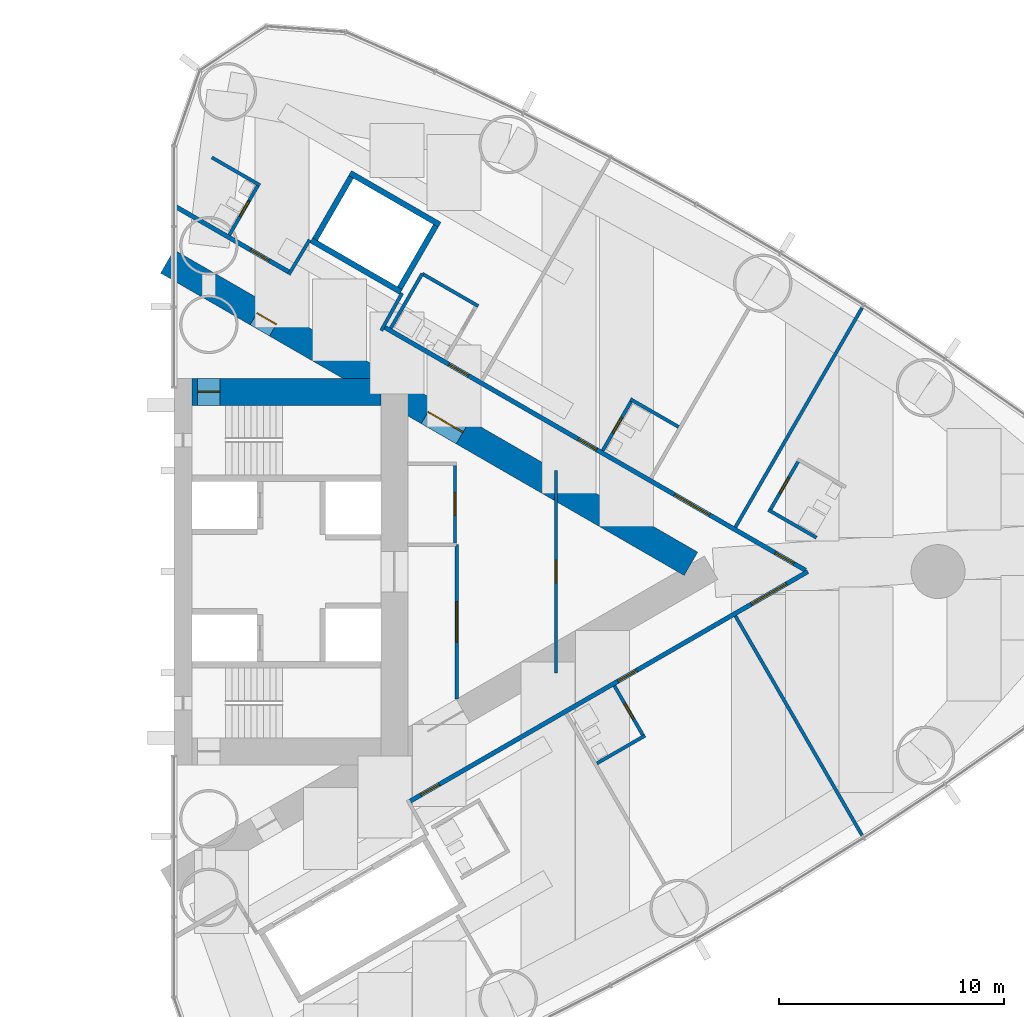
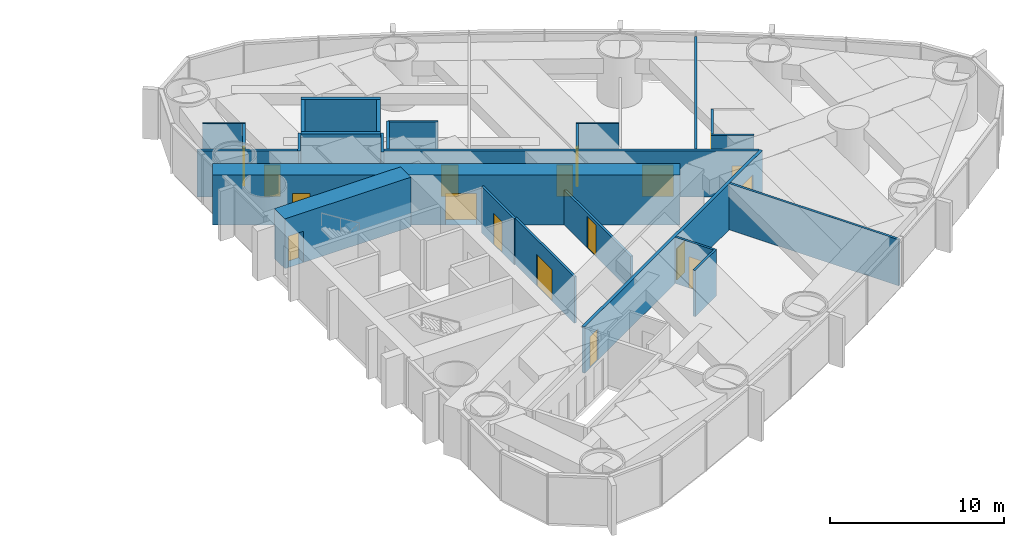
# One storey, part 14 of 18: 26 walls, 18 doors, 18 openings.
"""IFC4 building model written with IfcOpenShell, lengths in metres."""

import ifcopenshell
import ifcopenshell.guid

model = None  # the IFC model being written
_history = None  # IfcOwnerHistory: only IFC2X3 demands one
_inside = {}  # id of a spatial element -> (the spatial element, [elements in it])
_under = {}  # id of a project, library or spatial element -> (it, [spatial elements below it])
_declared = {}  # id of a project -> (the project, [libraries it declares])
_typed = {}  # id of a type object -> (the type object, [elements of that type])
_made_of = {}  # id of a material, layer set ... -> (it, [elements and type objects made of it])


def new_model(schema):
    """Start an empty IFC model of exactly this schema.

    Asked for "IFC4X3", IfcOpenShell would pick the latest addendum, in which some entities
    have other attributes; the version numbers below select the first issue.
    IFC2X3 requires an IfcOwnerHistory on every rooted entity: one is made here for all.
    """
    global model, _history
    if schema == "IFC4X3":
        model = ifcopenshell.file(schema_version=(4, 3, 0, 0))
    else:
        model = ifcopenshell.file(schema=schema)
    _inside.clear()
    _under.clear()
    _declared.clear()
    _typed.clear()
    _made_of.clear()
    _history = None
    if model.schema == "IFC2X3":
        org = make("IfcOrganization", Name="unknown")
        user = make(
            "IfcPersonAndOrganization",
            ThePerson=make("IfcPerson", FamilyName="unknown"),
            TheOrganization=org,
        )
        app = make(
            "IfcApplication",
            ApplicationDeveloper=org,
            Version="unknown",
            ApplicationFullName="unknown",
            ApplicationIdentifier="unknown",
        )
        _history = make(
            "IfcOwnerHistory",
            OwningUser=user,
            OwningApplication=app,
            ChangeAction="ADDED",
            CreationDate=0,
        )
    return model


def make(cls, **values):
    """One entity of the class cls with the attributes given. An attribute that is None is left unset."""
    return model.create_entity(
        cls, **{name: value for name, value in values.items() if value is not None}
    )


def rooted(cls, **values):
    """An entity with a GlobalId (a new one), such as an element, a storey or a relation."""
    return make(cls, GlobalId=ifcopenshell.guid.new(), OwnerHistory=_history, **values)


def si_unit(unit_type, name, prefix=None):
    """IfcSIUnit, for example si_unit("LENGTHUNIT", "METRE", prefix="MILLI")."""
    return make("IfcSIUnit", UnitType=unit_type, Prefix=prefix, Name=name)


def assignment(units):
    """IfcUnitAssignment: the units of a project."""
    return None if units is None else make("IfcUnitAssignment", Units=units)


def point(xyz):
    """IfcCartesianPoint."""
    return None if xyz is None else make("IfcCartesianPoint", Coordinates=xyz)


def direction(xyz):
    """IfcDirection."""
    return None if xyz is None else make("IfcDirection", DirectionRatios=xyz)


def frame(location, z_axis=None, x_axis=None):
    """IfcAxis2Placement3D, a coordinate frame: its origin and axes. An axis left out is left unset."""
    return make(
        "IfcAxis2Placement3D",
        Location=point(location),
        Axis=direction(z_axis),
        RefDirection=direction(x_axis),
    )


def frame_2d(location, x_axis=None):
    """IfcAxis2Placement2D, a coordinate frame in the plane: its origin and x axis."""
    return make(
        "IfcAxis2Placement2D", Location=point(location), RefDirection=direction(x_axis)
    )


def origin():
    """The frame at (0, 0, 0) with its axes left unset."""
    return frame((0.0, 0.0, 0.0))


def place(relative_to, where):
    """IfcLocalPlacement: puts the frame where relative to a parent placement (None: the world)."""
    return make(
        "IfcLocalPlacement", PlacementRelTo=relative_to, RelativePlacement=where
    )


def context(
    kind, dimensions, precision=None, world=None, true_north=None, identifier=None
):
    """IfcGeometricRepresentationContext, for example the 3D "Model" context."""
    return make(
        "IfcGeometricRepresentationContext",
        ContextIdentifier=identifier,
        ContextType=kind,
        CoordinateSpaceDimension=dimensions,
        Precision=precision,
        WorldCoordinateSystem=world,
        TrueNorth=true_north,
    )


def subcontext(parent, identifier, kind, view, scale=None):
    """IfcGeometricRepresentationSubContext, for example "Body" below "Model"."""
    return make(
        "IfcGeometricRepresentationSubContext",
        ContextIdentifier=identifier,
        ContextType=kind,
        ParentContext=parent,
        TargetScale=scale,
        TargetView=view,
    )


def project(units=None, contexts=None):
    """IfcProject with its units and contexts."""
    return rooted(
        "IfcProject",
        Name="project",
        RepresentationContexts=contexts,
        UnitsInContext=assignment(units),
    )


def spatial(cls, under=None, at=None, **own):
    """A site, building, storey or space (cls), placed at a placement, below another one or the project."""
    s = rooted(cls, ObjectPlacement=at, **own)
    if under is not None:
        _under.setdefault(under.id(), (under, []))[1].append(s)
    return s


def profile(cls, at=None, kind="AREA", **sizes):
    """A parametric profile (cls). Its sizes go by their IFC names, for example OverallWidth=200.0."""
    return make(cls, ProfileType=kind, Position=at, **sizes)


def rectangle(**sizes):
    """IfcRectangleProfileDef."""
    return profile("IfcRectangleProfileDef", **sizes)


def extrude(swept, where, along, depth):
    """IfcExtrudedAreaSolid: the profile swept, set in the frame where, extruded along a direction by depth."""
    return make(
        "IfcExtrudedAreaSolid",
        SweptArea=swept,
        Position=where,
        ExtrudedDirection=direction(along),
        Depth=depth,
    )


def shape(context_of_items, identifier, shape_type, items):
    """IfcShapeRepresentation: the items that make up one representation, for example the "Body"."""
    return make(
        "IfcShapeRepresentation",
        ContextOfItems=context_of_items,
        RepresentationIdentifier=identifier,
        RepresentationType=shape_type,
        Items=items,
    )


def material(Name=None, Category=None):
    """IfcMaterial."""
    return make("IfcMaterial", Name=Name, Category=Category)


def layer(
    of_material, thickness, ventilated=None, Name=None, Category=None, Priority=None
):
    """IfcMaterialLayer: one layer of a wall or slab, of a material (None: an air gap)."""
    return make(
        "IfcMaterialLayer",
        Material=of_material,
        LayerThickness=thickness,
        IsVentilated=ventilated,
        Name=Name,
        Category=Category,
        Priority=Priority,
    )


def layer_set(layers, Name=None):
    """IfcMaterialLayerSet."""
    return make("IfcMaterialLayerSet", MaterialLayers=layers, LayerSetName=Name)


def made_of(thing, what):
    """Note that an element or type object is made of a material, layer set ...; save() writes the relation."""
    if what is not None:
        _made_of.setdefault(what.id(), (what, []))[1].append(thing)
    return thing


def type_object(cls, material=None, **own):
    """A type object (cls), such as IfcWallType, which elements share."""
    return made_of(rooted(cls, **own), material)


def element(
    cls,
    number,
    at=None,
    inside=None,
    cuts=None,
    type_object=None,
    material=None,
    context=None,
    identifier="Body",
    shape_type=None,
    held_by="IfcProductDefinitionShape",
    body=None,
    shapes=None,
    **own,
):
    """One element of the class cls, such as IfcWall. Its Tag is "e" and its number.

    at: its placement. inside: the storey or other place that contains it. cuts: it is an
    opening in that element (IfcRelVoidsElement). A single representation is given by context,
    identifier, shape_type and body (its items); several are given by shapes. held_by: the class
    of the entity that holds the representations. save() writes the other relations.
    """
    e = rooted(cls, Tag="e%d" % number, ObjectPlacement=at, **own)
    if body is not None:
        shapes = [shape(context, identifier, shape_type, body)]
    if shapes is not None:
        e.Representation = make(held_by, Representations=shapes)
    if inside is not None:
        _inside.setdefault(inside.id(), (inside, []))[1].append(e)
    if cuts is not None:
        rooted(
            "IfcRelVoidsElement", RelatingBuildingElement=cuts, RelatedOpeningElement=e
        )
    if type_object is not None:
        _typed.setdefault(type_object.id(), (type_object, []))[1].append(e)
    return made_of(e, material)


def fill(opening, filler):
    """IfcRelFillsElement: the door or window that sits in an opening."""
    return rooted(
        "IfcRelFillsElement",
        RelatingOpeningElement=opening,
        RelatedBuildingElement=filler,
    )


def aggregate(whole, parts):
    """IfcRelAggregates: a whole, such as a stair, and the parts it consists of."""
    return rooted("IfcRelAggregates", RelatingObject=whole, RelatedObjects=parts)


def save(model, path):
    """Write the relations noted so far, then the file.

    IfcRelAggregates (storeys below a building ...), IfcRelContainedInSpatialStructure (elements
    in a storey), IfcRelDefinesByType, IfcRelAssociatesMaterial and IfcRelDeclares: one each for
    every whole, place, type object, material and project.
    """
    for whole, parts in _under.values():
        aggregate(whole, parts)
    for where, things in _inside.values():
        rooted(
            "IfcRelContainedInSpatialStructure",
            RelatedElements=things,
            RelatingStructure=where,
        )
    for kind, things in _typed.values():
        rooted("IfcRelDefinesByType", RelatedObjects=things, RelatingType=kind)
    for what, things in _made_of.values():
        rooted("IfcRelAssociatesMaterial", RelatedObjects=things, RelatingMaterial=what)
    for by, libraries in _declared.values():
        rooted("IfcRelDeclares", RelatingContext=by, RelatedDefinitions=libraries)
    model.write(path)


model = new_model("IFC4")

# Units and contexts
model_context = context("Model", 3, precision=1e-05, world=origin(), true_north=direction((0.0, 1.0)))
body_context = subcontext(model_context, "Body", "Model", "MODEL_VIEW")
ifc_project = project(units=[si_unit("LENGTHUNIT", "METRE"), si_unit("AREAUNIT", "SQUARE_METRE"), si_unit("VOLUMEUNIT", "CUBIC_METRE"), si_unit("PLANEANGLEUNIT", "RADIAN"), si_unit("MASSUNIT", "GRAM", prefix="KILO")], contexts=[model_context])

# Site, building, storey
site_placement = place(None, origin())
site = spatial("IfcSite", under=ifc_project, at=site_placement, CompositionType="ELEMENT")
building_placement = place(site_placement, origin())
building = spatial("IfcBuilding", under=site, at=building_placement, Name="Lancet Gate Hotel", CompositionType="ELEMENT")
storey_placement = place(building_placement, frame((0.0, 0.0, 136.10009765625)))
storey = spatial("IfcBuildingStorey", under=building, at=storey_placement, Name="L36", CompositionType="ELEMENT", Elevation=136.10009765625)

# Wall
ifc_material_1 = material(Name="Moisture resistant board partition")
ifc_layer_1 = layer(ifc_material_1, 0.14990234375)
ifc_layer_set_1 = layer_set([ifc_layer_1], Name="Bathroom wall 150")
wall_type_1 = type_object("IfcWallType", Name="Bathroom wall 150", PredefinedType="PARTITIONING", material=ifc_layer_set_1)
wall_1_placement = place(storey_placement, frame((46.318603515625, -8.535400390625, 0.0), z_axis=(0.0, 0.0, 1.0), x_axis=(0.866006523861, 0.500032699561, 0.0)))
element("IfcWall", 1, at=wall_1_placement, inside=storey, type_object=wall_type_1, Name="T2 bathroom wall 150 L36", PredefinedType="PARTITIONING", context=body_context, shape_type="SweptSolid", body=[
    extrude(rectangle(XDim=2.474853515625, YDim=0.14990234375, at=frame_2d((1.2373046875, 0.0))), origin(), (0.0, 0.0, 1.0), 3.25),
])

# Wall, opening, door
wall_2_placement = place(storey_placement, frame((47.096923828125, -5.083740234375, 0.0), z_axis=(0.0, 0.0, 1.0), x_axis=(0.500006934395, -0.866021400173, 0.0)))
wall_2 = element("IfcWall", 2, at=wall_2_placement, inside=storey, type_object=wall_type_1, Name="T2 bathroom wall 150 L36", PredefinedType="PARTITIONING", context=body_context, shape_type="SweptSolid", body=[
    extrude(rectangle(XDim=2.60009765625, YDim=0.14990234375, at=frame_2d((1.300048828125, 0.0))), origin(), (0.0, 0.0, 1.0), 3.25),
])
opening_1_placement = place(wall_2_placement, frame((0.89990234375, 0.0, 0.0)))
opening_1 = element("IfcOpeningElement", 3, at=opening_1_placement, cuts=wall_2, Name="Opening 3655-B", PredefinedType="OPENING", context=body_context, shape_type="SweptSolid", body=[
    extrude(rectangle(XDim=0.800048828125, YDim=2.199951171875, at=frame_2d((0.39990234375, 1.10009765625))), frame((0.0, 0.0849609375, 0.0), z_axis=(0.0, -1.0, 0.0), x_axis=(1.0, 0.0, 0.0)), (0.0, 0.0, 1.0), 0.169921875),
])
ifc_material_2 = material(Name="Timber door set", Category="wood")
door_type_1 = type_object("IfcDoorType", Name="Bathroom door 800", OperationType="SINGLE_SWING_RIGHT", PredefinedType="DOOR", material=ifc_material_2)
door_1_placement = place(opening_1_placement, origin())
door_1 = element("IfcDoor", 4, at=door_1_placement, inside=storey, type_object=door_type_1, Name="3655-B", OperationType="SINGLE_SWING_RIGHT", OverallHeight=2.199951171875, OverallWidth=0.800048828125, PredefinedType="DOOR", context=body_context, shape_type="SweptSolid", body=[
    extrude(rectangle(XDim=0.800048828125, YDim=2.199951171875, at=frame_2d((0.39990234375, 1.10009765625))), frame((0.0, 0.02490234375, 0.0), z_axis=(0.0, -1.0, 0.0), x_axis=(1.0, 0.0, 0.0)), (0.0, 0.0, 1.0), 0.050048828125),
])
fill(opening_1, door_1)

wall_3_placement = place(storey_placement, frame((54.010009765625, 2.708984375, 0.0), z_axis=(0.0, 0.0, 1.0), x_axis=(0.500006934395, 0.866021400173, 0.0)))
wall_3 = element("IfcWall", 5, at=wall_3_placement, inside=storey, type_object=wall_type_1, Name="T2 bathroom wall 150 L36", PredefinedType="PARTITIONING", context=body_context, shape_type="SweptSolid", body=[
    extrude(rectangle(XDim=2.60009765625, YDim=0.14990234375, at=frame_2d((1.300048828125, 0.0))), origin(), (0.0, 0.0, 1.0), 3.25),
])
opening_2_placement = place(wall_3_placement, frame((0.89990234375, 0.0, 0.0)))
opening_2 = element("IfcOpeningElement", 6, at=opening_2_placement, cuts=wall_3, Name="Opening 3658-B", PredefinedType="OPENING", context=body_context, shape_type="SweptSolid", body=[
    extrude(rectangle(XDim=0.800048828125, YDim=2.199951171875, at=frame_2d((0.39990234375, 1.10009765625))), frame((0.0, 0.0849609375, 0.0), z_axis=(0.0, -1.0, 0.0), x_axis=(1.0, 0.0, 0.0)), (0.0, 0.0, 1.0), 0.169921875),
])
door_2_placement = place(opening_2_placement, origin())
door_2 = element("IfcDoor", 7, at=door_2_placement, inside=storey, type_object=door_type_1, Name="3658-B", OperationType="SINGLE_SWING_RIGHT", OverallHeight=2.199951171875, OverallWidth=0.800048828125, PredefinedType="DOOR", context=body_context, shape_type="SweptSolid", body=[
    extrude(rectangle(XDim=0.800048828125, YDim=2.199951171875, at=frame_2d((0.39990234375, 1.10009765625))), frame((0.0, 0.02490234375, 0.0), z_axis=(0.0, -1.0, 0.0), x_axis=(1.0, 0.0, 0.0)), (0.0, 0.0, 1.0), 0.050048828125),
])
fill(opening_2, door_2)

# Walls
for number, where, z_axis, x_axis, name in (
    (8, (53.945068359375, 2.74658203125, 0.0), (0.0, 0.0, 1.0), (0.866031185235, -0.4999899861, 0.0), "T2 bathroom wall 150 L36"),
    (9, (47.81005859375, 7.67431640625, 0.0), (0.0, 0.0, 1.0), (0.866031185235, -0.4999899861, 0.0), "T2 bathroom wall 150 L36"),
):
    element("IfcWall", number, at=place(storey_placement, frame(where, z_axis=z_axis, x_axis=x_axis)), inside=storey, type_object=wall_type_1, Name=name, PredefinedType="PARTITIONING", context=body_context, shape_type="SweptSolid", body=[
        extrude(rectangle(XDim=2.47509765625, YDim=0.14990234375, at=frame_2d((1.237548828125, 0.0))), origin(), (0.0, 0.0, 1.0), 3.25),
    ])

# Wall, opening, door
wall_4_placement = place(storey_placement, frame((46.574951171875, 5.385009765625, 0.0), z_axis=(0.0, 0.0, 1.0), x_axis=(0.500006934395, 0.866021400173, 0.0)))
wall_4 = element("IfcWall", 10, at=wall_4_placement, inside=storey, type_object=wall_type_1, Name="T2 bathroom wall 150 L36", PredefinedType="PARTITIONING", context=body_context, shape_type="SweptSolid", body=[
    extrude(rectangle(XDim=2.60009765625, YDim=0.14990234375, at=frame_2d((1.300048828125, 0.0))), origin(), (0.0, 0.0, 1.0), 3.25),
])
opening_3_placement = place(wall_4_placement, frame((0.89990234375, 0.0, 0.0)))
opening_3 = element("IfcOpeningElement", 11, at=opening_3_placement, cuts=wall_4, Name="Opening 3660-B", PredefinedType="OPENING", context=body_context, shape_type="SweptSolid", body=[
    extrude(rectangle(XDim=0.800048828125, YDim=2.199951171875, at=frame_2d((0.39990234375, 1.10009765625))), frame((0.0, 0.0849609375, 0.0), z_axis=(0.0, -1.0, 0.0), x_axis=(1.0, 0.0, 0.0)), (0.0, 0.0, 1.0), 0.169921875),
])
door_3_placement = place(opening_3_placement, origin())
door_3 = element("IfcDoor", 12, at=door_3_placement, inside=storey, type_object=door_type_1, Name="3660-B", OperationType="SINGLE_SWING_RIGHT", OverallHeight=2.199951171875, OverallWidth=0.800048828125, PredefinedType="DOOR", context=body_context, shape_type="SweptSolid", body=[
    extrude(rectangle(XDim=0.800048828125, YDim=2.199951171875, at=frame_2d((0.39990234375, 1.10009765625))), frame((0.0, 0.02490234375, 0.0), z_axis=(0.0, -1.0, 0.0), x_axis=(1.0, 0.0, 0.0)), (0.0, 0.0, 1.0), 0.050048828125),
])
fill(opening_3, door_3)

# Walls
wall_5_placement = place(storey_placement, frame((38.5439453125, 13.255126953125, 0.0), z_axis=(0.0, 0.0, 1.0), x_axis=(0.866018712932, -0.500011588718, 0.0)))
element("IfcWall", 13, at=wall_5_placement, inside=storey, type_object=wall_type_1, Name="T2 bathroom wall 150 L36", PredefinedType="PARTITIONING", context=body_context, shape_type="SweptSolid", body=[
    extrude(rectangle(XDim=2.875, YDim=0.14990234375, at=frame_2d((1.4375, 0.0))), origin(), (0.0, 0.0, 1.0), 3.25),
])
wall_6_placement = place(storey_placement, frame((37.143798828125, 10.830078125, 0.0), z_axis=(0.0, 0.0, 1.0), x_axis=(0.500011755427, 0.866018616679, 0.0)))
element("IfcWall", 14, at=wall_6_placement, inside=storey, type_object=wall_type_1, Name="T2 bathroom wall 150 L36", PredefinedType="PARTITIONING", context=body_context, shape_type="SweptSolid", body=[
    extrude(rectangle(XDim=2.80029296875, YDim=0.14990234375, at=frame_2d((1.400146484375, 0.0))), origin(), (0.0, 0.0, 1.0), 3.25),
])
wall_7_placement = place(storey_placement, frame((29.181884765625, 18.42919921875, 0.0), z_axis=(0.0, 0.0, 1.0), x_axis=(0.866006523861, -0.500032699561, 0.0)))
element("IfcWall", 15, at=wall_7_placement, inside=storey, type_object=wall_type_1, Name="T2 bathroom wall 150 L36", PredefinedType="PARTITIONING", context=body_context, shape_type="SweptSolid", body=[
    extrude(rectangle(XDim=2.474853515625, YDim=0.14990234375, at=frame_2d((1.2373046875, 0.0))), origin(), (0.0, 0.0, 1.0), 3.25),
])

# Wall, opening, door
wall_8_placement = place(storey_placement, frame((29.960205078125, 14.9775390625, 0.0), z_axis=(0.0, 0.0, 1.0), x_axis=(0.500006934395, 0.866021400173, 0.0)))
wall_8 = element("IfcWall", 16, at=wall_8_placement, inside=storey, type_object=wall_type_1, Name="T2 bathroom wall 150 L36", PredefinedType="PARTITIONING", context=body_context, shape_type="SweptSolid", body=[
    extrude(rectangle(XDim=2.60009765625, YDim=0.14990234375, at=frame_2d((1.300048828125, 0.0))), origin(), (0.0, 0.0, 1.0), 3.25),
])
opening_4_placement = place(wall_8_placement, frame((0.949951171875, 0.0, 0.0)))
opening_4 = element("IfcOpeningElement", 17, at=opening_4_placement, cuts=wall_8, Name="Opening 3664-B", PredefinedType="OPENING", context=body_context, shape_type="SweptSolid", body=[
    extrude(rectangle(XDim=0.800048828125, YDim=2.199951171875, at=frame_2d((0.39990234375, 1.10009765625))), frame((0.0, 0.0849609375, 0.0), z_axis=(0.0, -1.0, 0.0), x_axis=(1.0, 0.0, 0.0)), (0.0, 0.0, 1.0), 0.169921875),
])
door_4_placement = place(opening_4_placement, origin())
door_4 = element("IfcDoor", 18, at=door_4_placement, inside=storey, type_object=door_type_1, Name="3664-B", OperationType="SINGLE_SWING_RIGHT", OverallHeight=2.199951171875, OverallWidth=0.800048828125, PredefinedType="DOOR", context=body_context, shape_type="SweptSolid", body=[
    extrude(rectangle(XDim=0.800048828125, YDim=2.199951171875, at=frame_2d((0.39990234375, 1.10009765625))), frame((0.0, 0.02490234375, 0.0), z_axis=(0.0, -1.0, 0.0), x_axis=(1.0, 0.0, 0.0)), (0.0, 0.0, 1.0), 0.050048828125),
])
fill(opening_4, door_4)

# Wall, openings, doors
ifc_material_3 = material(Name="Concrete C70/85", Category="concrete")
ifc_layer_2 = layer(ifc_material_3, 1.199951171875)
ifc_layer_set_2 = layer_set([ifc_layer_2], Name="Buttress wall 1200")
wall_type_2 = type_object("IfcWallType", Name="Buttress wall 1200", PredefinedType="SHEAR", material=ifc_layer_set_2)
wall_9_placement = place(storey_placement, frame((27.199951171875, 13.800048828125, 0.0), z_axis=(0.0, 0.0, 1.0), x_axis=(0.866024515034, -0.500001539357, 0.0)))
wall_9 = element("IfcWall", 19, at=wall_9_placement, inside=storey, type_object=wall_type_2, Name="T2 buttress wall N L36", PredefinedType="SHEAR", context=body_context, shape_type="SweptSolid", body=[
    extrude(rectangle(XDim=26.9072265625, YDim=1.199951171875, at=frame_2d((13.45361328125, 0.0))), origin(), (0.0, 0.0, 1.0), 3.5),
])
opening_5_placement = place(wall_9_placement, frame((4.60009765625, 0.0, 0.0)))
opening_5 = element("IfcOpeningElement", 20, at=opening_5_placement, cuts=wall_9, Name="Opening T2-L36-LN", PredefinedType="OPENING", context=body_context, shape_type="SweptSolid", body=[
    extrude(rectangle(XDim=1.0, YDim=2.199951171875, at=frame_2d((0.5, 1.10009765625))), frame((0.0, 0.60986328125, 0.0), z_axis=(0.0, -1.0, 0.0), x_axis=(1.0, 0.0, 0.0)), (0.0, 0.0, 1.0), 1.219970703125),
])
opening_6_placement = place(wall_9_placement, frame((13.39453125, 0.0, 0.0)))
opening_6 = element("IfcOpeningElement", 21, at=opening_6_placement, cuts=wall_9, Name="Opening T2-L36-LHN", PredefinedType="OPENING", context=body_context, shape_type="SweptSolid", body=[
    extrude(rectangle(XDim=1.800048828125, YDim=2.199951171875, at=frame_2d((0.89990234375, 1.10009765625))), frame((0.0, 0.60986328125, 0.0), z_axis=(0.0, -1.0, 0.0), x_axis=(1.0, 0.0, 0.0)), (0.0, 0.0, 1.0), 1.219970703125),
])
ifc_material_4 = material(Name="Timber door set", Category="wood")
door_type_2 = type_object("IfcDoorType", Name="Lobby double door 1800", OperationType="DOUBLE_DOOR_SINGLE_SWING", PredefinedType="DOOR", material=ifc_material_4)
door_5_placement = place(opening_6_placement, origin())
door_5 = element("IfcDoor", 22, at=door_5_placement, inside=storey, type_object=door_type_2, Name="T2-L36-LHN", OperationType="DOUBLE_DOOR_SINGLE_SWING", OverallHeight=2.199951171875, OverallWidth=1.800048828125, PredefinedType="DOOR", context=body_context, shape_type="SweptSolid", body=[
    extrude(rectangle(XDim=1.800048828125, YDim=2.199951171875, at=frame_2d((0.89990234375, 1.10009765625))), frame((0.0, 0.02490234375, 0.0), z_axis=(0.0, -1.0, 0.0), x_axis=(1.0, 0.0, 0.0)), (0.0, 0.0, 1.0), 0.050048828125),
])
fill(opening_6, door_5)
ifc_material_5 = material(Name="Timber door set", Category="wood")
door_type_3 = type_object("IfcDoorType", Name="Stair lobby door 1000", OperationType="SINGLE_SWING_LEFT", PredefinedType="DOOR", material=ifc_material_5)
door_6_placement = place(opening_5_placement, origin())
door_6 = element("IfcDoor", 23, at=door_6_placement, inside=storey, type_object=door_type_3, Name="T2-L36-LN", OperationType="SINGLE_SWING_LEFT", OverallHeight=2.199951171875, OverallWidth=1.0, PredefinedType="DOOR", context=body_context, shape_type="SweptSolid", body=[
    extrude(rectangle(XDim=1.0, YDim=2.199951171875, at=frame_2d((0.5, 1.10009765625))), frame((0.0, 0.02490234375, 0.0), z_axis=(0.0, -1.0, 0.0), x_axis=(1.0, 0.0, 0.0)), (0.0, 0.0, 1.0), 0.050048828125),
])
fill(opening_5, door_6)

# Wall, opening, door
ifc_material_6 = material(Name="Concrete C70/85", Category="concrete")
ifc_layer_3 = layer(ifc_material_6, 1.199951171875)
ifc_layer_set_3 = layer_set([ifc_layer_3], Name="Core wall 1200")
wall_type_3 = type_object("IfcWallType", Name="Core wall 1200", PredefinedType="SHEAR", material=ifc_layer_set_3)
wall_10_placement = place(storey_placement, frame((28.300048828125, 8.0, 0.0), z_axis=(0.0, 0.0, 1.0), x_axis=(1.0, 0.0, 0.0)))
wall_10 = element("IfcWall", 24, at=wall_10_placement, inside=storey, type_object=wall_type_3, Name="T2 core wall side-N L36", PredefinedType="SHEAR", context=body_context, shape_type="SweptSolid", body=[
    extrude(rectangle(XDim=8.39990234375, YDim=1.199951171875, at=frame_2d((4.199951171875, 0.0))), origin(), (0.0, 0.0, 1.0), 3.5),
])
opening_7_placement = place(wall_10_placement, frame((0.25, 0.0, 0.0)))
opening_7 = element("IfcOpeningElement", 25, at=opening_7_placement, cuts=wall_10, Name="Opening T2-L36-ST2", PredefinedType="OPENING", context=body_context, shape_type="SweptSolid", body=[
    extrude(rectangle(XDim=1.0, YDim=2.199951171875, at=frame_2d((0.5, 1.10009765625))), frame((0.0, 0.60986328125, 0.0), z_axis=(0.0, -1.0, 0.0), x_axis=(1.0, 0.0, 0.0)), (0.0, 0.0, 1.0), 1.219970703125),
])
ifc_material_7 = material(Name="Timber door set", Category="wood")
door_type_4 = type_object("IfcDoorType", Name="Stair door 1000", OperationType="SINGLE_SWING_RIGHT", PredefinedType="DOOR", material=ifc_material_7)
door_7_placement = place(opening_7_placement, origin())
door_7 = element("IfcDoor", 26, at=door_7_placement, inside=storey, type_object=door_type_4, Name="T2-L36-ST2", OperationType="SINGLE_SWING_RIGHT", OverallHeight=2.199951171875, OverallWidth=1.0, PredefinedType="DOOR", context=body_context, shape_type="SweptSolid", body=[
    extrude(rectangle(XDim=1.0, YDim=2.199951171875, at=frame_2d((0.5, 1.10009765625))), frame((0.0, 0.02490234375, 0.0), z_axis=(0.0, -1.0, 0.0), x_axis=(1.0, 0.0, 0.0)), (0.0, 0.0, 1.0), 0.050048828125),
])
fill(opening_7, door_7)

# Wall, openings, doors
ifc_material_8 = material(Name="Gypsum board partition")
ifc_layer_4 = layer(ifc_material_8, 0.199951171875)
ifc_layer_set_4 = layer_set([ifc_layer_4], Name="Corridor wall 200")
wall_type_4 = type_object("IfcWallType", Name="Corridor wall 200", PredefinedType="PARTITIONING", material=ifc_layer_set_4)
wall_11_placement = place(storey_placement, frame((37.9599609375, -10.243408203125, 0.0), z_axis=(0.0, 0.0, 1.0), x_axis=(0.866026429433, 0.499998223521, 0.0)))
wall_11 = element("IfcWall", 27, at=wall_11_placement, inside=storey, type_object=wall_type_4, Name="T2 corridor wall 200 L36", PredefinedType="PARTITIONING", context=body_context, shape_type="SweptSolid", body=[
    extrude(rectangle(XDim=20.48681640625, YDim=0.199951171875, at=frame_2d((10.243408203125, 0.0))), origin(), (0.0, 0.0, 1.0), 3.25),
])
opening_8_placement = place(wall_11_placement, frame((10.74267578125, 0.0, 0.0)))
opening_8 = element("IfcOpeningElement", 28, at=opening_8_placement, cuts=wall_11, Name="Opening 3655-E", PredefinedType="OPENING", context=body_context, shape_type="SweptSolid", body=[
    extrude(rectangle(XDim=0.949951171875, YDim=2.199951171875, at=frame_2d((0.47509765625, 1.10009765625))), frame((0.0, 0.10986328125, 0.0), z_axis=(0.0, -1.0, 0.0), x_axis=(1.0, 0.0, 0.0)), (0.0, 0.0, 1.0), 0.219970703125),
])
opening_9_placement = place(wall_11_placement, frame((17.5859375, 0.0, 0.0)))
opening_9 = element("IfcOpeningElement", 29, at=opening_9_placement, cuts=wall_11, Name="Opening 3657-E", PredefinedType="OPENING", context=body_context, shape_type="SweptSolid", body=[
    extrude(rectangle(XDim=1.800048828125, YDim=2.199951171875, at=frame_2d((0.89990234375, 1.10009765625))), frame((0.0, 0.10986328125, 0.0), z_axis=(0.0, -1.0, 0.0), x_axis=(1.0, 0.0, 0.0)), (0.0, 0.0, 1.0), 0.219970703125),
])
opening_10_placement = place(wall_11_placement, frame((0.60009765625, 0.0, 0.0)))
opening_10 = element("IfcOpeningElement", 30, at=opening_10_placement, cuts=wall_11, Name="Opening 3653-E", PredefinedType="OPENING", context=body_context, shape_type="SweptSolid", body=[
    extrude(rectangle(XDim=0.949951171875, YDim=2.199951171875, at=frame_2d((0.47509765625, 1.10009765625))), frame((0.0, 0.10986328125, 0.0), z_axis=(0.0, -1.0, 0.0), x_axis=(1.0, 0.0, 0.0)), (0.0, 0.0, 1.0), 0.219970703125),
])
ifc_material_9 = material(Name="Timber door set", Category="wood")
door_type_5 = type_object("IfcDoorType", Name="Double door 1800", OperationType="DOUBLE_DOOR_SINGLE_SWING", PredefinedType="DOOR", material=ifc_material_9)
door_8_placement = place(opening_9_placement, origin())
door_8 = element("IfcDoor", 31, at=door_8_placement, inside=storey, type_object=door_type_5, Name="3657-E", OperationType="DOUBLE_DOOR_SINGLE_SWING", OverallHeight=2.199951171875, OverallWidth=1.800048828125, PredefinedType="DOOR", context=body_context, shape_type="SweptSolid", body=[
    extrude(rectangle(XDim=1.800048828125, YDim=2.199951171875, at=frame_2d((0.89990234375, 1.10009765625))), frame((0.0, 0.02490234375, 0.0), z_axis=(0.0, -1.0, 0.0), x_axis=(1.0, 0.0, 0.0)), (0.0, 0.0, 1.0), 0.050048828125),
])
fill(opening_9, door_8)
ifc_material_10 = material(Name="Timber door set", Category="wood")
door_type_6 = type_object("IfcDoorType", Name="Guest room entry door 950", OperationType="SINGLE_SWING_LEFT", PredefinedType="DOOR", material=ifc_material_10)
door_9_placement = place(opening_8_placement, origin())
door_9 = element("IfcDoor", 32, at=door_9_placement, inside=storey, type_object=door_type_6, Name="3655-E", OperationType="SINGLE_SWING_LEFT", OverallHeight=2.199951171875, OverallWidth=0.949951171875, PredefinedType="DOOR", context=body_context, shape_type="SweptSolid", body=[
    extrude(rectangle(XDim=0.949951171875, YDim=2.199951171875, at=frame_2d((0.47509765625, 1.10009765625))), frame((0.0, 0.02490234375, 0.0), z_axis=(0.0, -1.0, 0.0), x_axis=(1.0, 0.0, 0.0)), (0.0, 0.0, 1.0), 0.050048828125),
])
fill(opening_8, door_9)
door_10_placement = place(opening_10_placement, origin())
door_10 = element("IfcDoor", 33, at=door_10_placement, inside=storey, type_object=door_type_6, Name="3653-E", OperationType="SINGLE_SWING_LEFT", OverallHeight=2.199951171875, OverallWidth=0.949951171875, PredefinedType="DOOR", context=body_context, shape_type="SweptSolid", body=[
    extrude(rectangle(XDim=0.949951171875, YDim=2.199951171875, at=frame_2d((0.47509765625, 1.10009765625))), frame((0.0, 0.02490234375, 0.0), z_axis=(0.0, -1.0, 0.0), x_axis=(1.0, 0.0, 0.0)), (0.0, 0.0, 1.0), 0.050048828125),
])
fill(opening_10, door_10)

# Wall, opening, door
wall_12_placement = place(storey_placement, frame((27.572021484375, 16.240966796875, 0.0), z_axis=(0.0, 0.0, 1.0), x_axis=(0.866032814021, -0.499987164874, 0.0)))
wall_12 = element("IfcWall", 34, at=wall_12_placement, inside=storey, type_object=wall_type_4, Name="T2 corridor wall 200 L36", PredefinedType="PARTITIONING", context=body_context, shape_type="SweptSolid", body=[
    extrude(rectangle(XDim=5.854736328125, YDim=0.199951171875, at=frame_2d((2.92724609375, 0.0))), origin(), (0.0, 0.0, 1.0), 3.25),
])
opening_11_placement = place(wall_12_placement, frame((3.85009765625, 0.0, 0.0)))
opening_11 = element("IfcOpeningElement", 35, at=opening_11_placement, cuts=wall_12, Name="Opening 3664-E", PredefinedType="OPENING", context=body_context, shape_type="SweptSolid", body=[
    extrude(rectangle(XDim=0.949951171875, YDim=2.199951171875, at=frame_2d((0.47509765625, 1.10009765625))), frame((0.0, 0.10986328125, 0.0), z_axis=(0.0, -1.0, 0.0), x_axis=(1.0, 0.0, 0.0)), (0.0, 0.0, 1.0), 0.219970703125),
])
door_11_placement = place(opening_11_placement, origin())
door_11 = element("IfcDoor", 36, at=door_11_placement, inside=storey, type_object=door_type_6, Name="3664-E", OperationType="SINGLE_SWING_LEFT", OverallHeight=2.199951171875, OverallWidth=0.949951171875, PredefinedType="DOOR", context=body_context, shape_type="SweptSolid", body=[
    extrude(rectangle(XDim=0.949951171875, YDim=2.199951171875, at=frame_2d((0.47509765625, 1.10009765625))), frame((0.0, 0.02490234375, 0.0), z_axis=(0.0, -1.0, 0.0), x_axis=(1.0, 0.0, 0.0)), (0.0, 0.0, 1.0), 0.050048828125),
])
fill(opening_11, door_11)

# Wall, openings, doors
wall_13_placement = place(storey_placement, frame((36.833984375, 10.8935546875, 0.0), z_axis=(0.0, 0.0, 1.0), x_axis=(0.866028157229, -0.499995230863, 0.0)))
wall_13 = element("IfcWall", 37, at=wall_13_placement, inside=storey, type_object=wall_type_4, Name="T2 corridor wall 200 L36", PredefinedType="PARTITIONING", context=body_context, shape_type="SweptSolid", body=[
    extrude(rectangle(XDim=21.667236328125, YDim=0.199951171875, at=frame_2d((10.83349609375, 0.0))), origin(), (0.0, 0.0, 1.0), 3.25),
])
opening_12_placement = place(wall_13_placement, frame((20.1171875, 0.0, 0.0)))
opening_12 = element("IfcOpeningElement", 38, at=opening_12_placement, cuts=wall_13, Name="Opening 3658-E", PredefinedType="OPENING", context=body_context, shape_type="SweptSolid", body=[
    extrude(rectangle(XDim=0.949951171875, YDim=2.199951171875, at=frame_2d((0.47509765625, 1.10009765625))), frame((0.0, 0.10986328125, 0.0), z_axis=(0.0, -1.0, 0.0), x_axis=(1.0, 0.0, 0.0)), (0.0, 0.0, 1.0), 0.219970703125),
])
opening_13_placement = place(wall_13_placement, frame((14.937744140625, 0.0, 0.0)))
opening_13 = element("IfcOpeningElement", 39, at=opening_13_placement, cuts=wall_13, Name="Opening 3659-E", PredefinedType="OPENING", context=body_context, shape_type="SweptSolid", body=[
    extrude(rectangle(XDim=1.800048828125, YDim=2.199951171875, at=frame_2d((0.89990234375, 1.10009765625))), frame((0.0, 0.10986328125, 0.0), z_axis=(0.0, -1.0, 0.0), x_axis=(1.0, 0.0, 0.0)), (0.0, 0.0, 1.0), 0.219970703125),
])
opening_14_placement = place(wall_13_placement, frame((9.990234375, 0.0, 0.0)))
opening_14 = element("IfcOpeningElement", 40, at=opening_14_placement, cuts=wall_13, Name="Opening 3660-E", PredefinedType="OPENING", context=body_context, shape_type="SweptSolid", body=[
    extrude(rectangle(XDim=0.949951171875, YDim=2.199951171875, at=frame_2d((0.47509765625, 1.10009765625))), frame((0.0, 0.10986328125, 0.0), z_axis=(0.0, -1.0, 0.0), x_axis=(1.0, 0.0, 0.0)), (0.0, 0.0, 1.0), 0.219970703125),
])
opening_15_placement = place(wall_13_placement, frame((3.35009765625, 0.0, 0.0)))
opening_15 = element("IfcOpeningElement", 41, at=opening_15_placement, cuts=wall_13, Name="Opening 3662-E", PredefinedType="OPENING", context=body_context, shape_type="SweptSolid", body=[
    extrude(rectangle(XDim=1.0, YDim=2.199951171875, at=frame_2d((0.5, 1.10009765625))), frame((0.0, 0.10986328125, 0.0), z_axis=(0.0, -1.0, 0.0), x_axis=(1.0, 0.0, 0.0)), (0.0, 0.0, 1.0), 0.219970703125),
])
ifc_material_11 = material(Name="Timber door set", Category="wood")
door_type_7 = type_object("IfcDoorType", Name="Accessible guest room door 1000", OperationType="SINGLE_SWING_LEFT", PredefinedType="DOOR", material=ifc_material_11)
door_12_placement = place(opening_15_placement, origin())
door_12 = element("IfcDoor", 42, at=door_12_placement, inside=storey, type_object=door_type_7, Name="3662-E", OperationType="SINGLE_SWING_LEFT", OverallHeight=2.199951171875, OverallWidth=1.0, PredefinedType="DOOR", context=body_context, shape_type="SweptSolid", body=[
    extrude(rectangle(XDim=1.0, YDim=2.199951171875, at=frame_2d((0.5, 1.10009765625))), frame((0.0, 0.02490234375, 0.0), z_axis=(0.0, -1.0, 0.0), x_axis=(1.0, 0.0, 0.0)), (0.0, 0.0, 1.0), 0.050048828125),
])
fill(opening_15, door_12)
door_13_placement = place(opening_13_placement, origin())
door_13 = element("IfcDoor", 43, at=door_13_placement, inside=storey, type_object=door_type_5, Name="3659-E", OperationType="DOUBLE_DOOR_SINGLE_SWING", OverallHeight=2.199951171875, OverallWidth=1.800048828125, PredefinedType="DOOR", context=body_context, shape_type="SweptSolid", body=[
    extrude(rectangle(XDim=1.800048828125, YDim=2.199951171875, at=frame_2d((0.89990234375, 1.10009765625))), frame((0.0, 0.02490234375, 0.0), z_axis=(0.0, -1.0, 0.0), x_axis=(1.0, 0.0, 0.0)), (0.0, 0.0, 1.0), 0.050048828125),
])
fill(opening_13, door_13)
door_14_placement = place(opening_12_placement, origin())
door_14 = element("IfcDoor", 44, at=door_14_placement, inside=storey, type_object=door_type_6, Name="3658-E", OperationType="SINGLE_SWING_LEFT", OverallHeight=2.199951171875, OverallWidth=0.949951171875, PredefinedType="DOOR", context=body_context, shape_type="SweptSolid", body=[
    extrude(rectangle(XDim=0.949951171875, YDim=2.199951171875, at=frame_2d((0.47509765625, 1.10009765625))), frame((0.0, 0.02490234375, 0.0), z_axis=(0.0, -1.0, 0.0), x_axis=(1.0, 0.0, 0.0)), (0.0, 0.0, 1.0), 0.050048828125),
])
fill(opening_12, door_14)
door_15_placement = place(opening_14_placement, origin())
door_15 = element("IfcDoor", 45, at=door_15_placement, inside=storey, type_object=door_type_6, Name="3660-E", OperationType="SINGLE_SWING_LEFT", OverallHeight=2.199951171875, OverallWidth=0.949951171875, PredefinedType="DOOR", context=body_context, shape_type="SweptSolid", body=[
    extrude(rectangle(XDim=0.949951171875, YDim=2.199951171875, at=frame_2d((0.47509765625, 1.10009765625))), frame((0.0, 0.02490234375, 0.0), z_axis=(0.0, -1.0, 0.0), x_axis=(1.0, 0.0, 0.0)), (0.0, 0.0, 1.0), 0.050048828125),
])
fill(opening_14, door_15)

# Walls
ifc_material_12 = material(Name="Gypsum board partition")
ifc_layer_5 = layer(ifc_material_12, 0.25)
ifc_layer_set_5 = layer_set([ifc_layer_5], Name="Lift shaft partition 250")
wall_type_5 = type_object("IfcWallType", Name="Lift shaft partition 250", PredefinedType="PARTITIONING", material=ifc_layer_set_5)
for number, where, z_axis, x_axis, name in (
    (46, (33.6083984375, 14.747314453125, 0.0), (0.0, 0.0, 1.0), (0.866043305498, -0.49996899204, 0.0), "T2 lift shaft wall EX L36"),
    (47, (35.33349609375, 17.73583984375, 0.0), (0.0, 0.0, 1.0), (0.866043305498, -0.49996899204, 0.0), "T2 lift shaft wall EX L36"),
):
    element("IfcWall", number, at=place(storey_placement, frame(where, z_axis=z_axis, x_axis=x_axis)), inside=storey, type_object=wall_type_5, Name=name, PredefinedType="PARTITIONING", context=body_context, shape_type="SweptSolid", body=[
        extrude(rectangle(XDim=4.600341796875, YDim=0.25, at=frame_2d((2.30029296875, 0.0))), origin(), (0.0, 0.0, 1.0), 3.25),
    ])
for number, where, z_axis, x_axis, name in (
    (48, (33.779296875, 14.79296875, 0.0), (0.0, 0.0, 1.0), (0.499929347863, 0.866066190972, 0.0), "T2 lift shaft wall EX L36"),
    (49, (37.546630859375, 12.617919921875, 0.0), (0.0, 0.0, 1.0), (0.499929347863, 0.866066190972, 0.0), "T2 lift shaft wall EX L36"),
):
    element("IfcWall", number, at=place(storey_placement, frame(where, z_axis=z_axis, x_axis=x_axis)), inside=storey, type_object=wall_type_5, Name=name, PredefinedType="PARTITIONING", context=body_context, shape_type="SweptSolid", body=[
        extrude(rectangle(XDim=3.20068359375, YDim=0.25, at=frame_2d((1.600341796875, 0.0))), origin(), (0.0, 0.0, 1.0), 3.25),
    ])
ifc_material_13 = material(Name="Gypsum board partition")
ifc_layer_6 = layer(ifc_material_13, 0.14990234375)
ifc_layer_set_6 = layer_set([ifc_layer_6], Name="Party wall 150")
wall_type_6 = type_object("IfcWallType", Name="Party wall 150", PredefinedType="PARTITIONING", material=ifc_layer_set_6)
for number, where, z_axis, x_axis, name in (
    (50, (52.4814453125, -1.97509765625, 0.0), (0.0, 0.0, 1.0), (0.500003867771, -0.866023170714, 0.0), "T2 party wall 150 L36"),
    (51, (52.4814453125, 1.97509765625, 0.0), (0.0, 0.0, 1.0), (0.500003867771, 0.866023170714, 0.0), "T2 party wall 150 L36"),
):
    element("IfcWall", number, at=place(storey_placement, frame(where, z_axis=z_axis, x_axis=x_axis)), inside=storey, type_object=wall_type_6, Name=name, PredefinedType="PARTITIONING", context=body_context, shape_type="SweptSolid", body=[
        extrude(rectangle(XDim=11.2646484375, YDim=0.14990234375, at=frame_2d((5.63232421875, 0.0))), origin(), (0.0, 0.0, 1.0), 3.25),
    ])
ifc_material_14 = material(Name="Gypsum board partition")
ifc_layer_7 = layer(ifc_material_14, 0.14990234375)
ifc_layer_set_7 = layer_set([ifc_layer_7], Name="Service room wall 150")
wall_type_7 = type_object("IfcWallType", Name="Service room wall 150", PredefinedType="PARTITIONING", material=ifc_layer_set_7)
wall_14_placement = place(storey_placement, frame((36.718505859375, 10.723388671875, 0.0), z_axis=(0.0, 0.0, 1.0), x_axis=(0.486348184724, 0.87376509613, 0.0)))
element("IfcWall", 52, at=wall_14_placement, inside=storey, type_object=wall_type_7, Name="T2 service room wall 150 L36", PredefinedType="PARTITIONING", context=body_context, shape_type="SweptSolid", body=[
    extrude(rectangle(XDim=1.91015625, YDim=0.14990234375, at=frame_2d((0.955078125, 0.0))), origin(), (0.0, 0.0, 1.0), 3.25),
])
wall_15_placement = place(storey_placement, frame((33.533447265625, 14.767333984375, 0.0), z_axis=(0.0, 0.0, 1.0), x_axis=(-0.514296815006, -0.857612258585, 0.0)))
element("IfcWall", 53, at=wall_15_placement, inside=storey, type_object=wall_type_7, Name="T2 service room wall 150 L36", PredefinedType="PARTITIONING", context=body_context, shape_type="SweptSolid", body=[
    extrude(rectangle(XDim=1.804931640625, YDim=0.14990234375, at=frame_2d((0.90234375, 0.0))), origin(), (0.0, 0.0, 1.0), 3.25),
])

# Wall, opening, door
wall_16_placement = place(storey_placement, frame((40.0, 1.125, 0.0), z_axis=(0.0, 0.0, 1.0), x_axis=(0.0, 1.0, 0.0)))
wall_16 = element("IfcWall", 54, at=wall_16_placement, inside=storey, type_object=wall_type_7, Name="T2 service room wall 150 L36", PredefinedType="PARTITIONING", context=body_context, shape_type="SweptSolid", body=[
    extrude(rectangle(XDim=3.75, YDim=0.14990234375, at=frame_2d((1.875, 0.0))), origin(), (0.0, 0.0, 1.0), 3.25),
])
opening_16_placement = place(wall_16_placement, frame((1.375, 0.0, 0.0)))
opening_16 = element("IfcOpeningElement", 55, at=opening_16_placement, cuts=wall_16, Name="Opening T2-L36-HRN0", PredefinedType="OPENING", context=body_context, shape_type="SweptSolid", body=[
    extrude(rectangle(XDim=1.0, YDim=2.199951171875, at=frame_2d((0.5, 1.10009765625))), frame((0.0, 0.0849609375, 0.0), z_axis=(0.0, -1.0, 0.0), x_axis=(1.0, 0.0, 0.0)), (0.0, 0.0, 1.0), 0.169921875),
])
ifc_material_15 = material(Name="Timber door set", Category="wood")
door_type_8 = type_object("IfcDoorType", Name="Service door 1000", OperationType="SINGLE_SWING_LEFT", PredefinedType="DOOR", material=ifc_material_15)
door_16_placement = place(opening_16_placement, origin())
door_16 = element("IfcDoor", 56, at=door_16_placement, inside=storey, type_object=door_type_8, Name="T2-L36-HRN0", OperationType="SINGLE_SWING_LEFT", OverallHeight=2.199951171875, OverallWidth=1.0, PredefinedType="DOOR", context=body_context, shape_type="SweptSolid", body=[
    extrude(rectangle(XDim=1.0, YDim=2.199951171875, at=frame_2d((0.5, 1.10009765625))), frame((0.0, 0.02490234375, 0.0), z_axis=(0.0, -1.0, 0.0), x_axis=(1.0, 0.0, 0.0)), (0.0, 0.0, 1.0), 0.050048828125),
])
fill(opening_16, door_16)

wall_17_placement = place(storey_placement, frame((40.074951171875, -5.673828125, 0.0), z_axis=(0.0, 0.0, 1.0), x_axis=(0.0, 1.0, 0.0)))
wall_17 = element("IfcWall", 57, at=wall_17_placement, inside=storey, type_object=wall_type_7, Name="T2 service room wall 150 L36", PredefinedType="PARTITIONING", context=body_context, shape_type="SweptSolid", body=[
    extrude(rectangle(XDim=6.873779296875, YDim=0.14990234375, at=frame_2d((3.43701171875, 0.0))), origin(), (0.0, 0.0, 1.0), 3.25),
])
opening_17_placement = place(wall_17_placement, frame((2.536865234375, 0.0, 0.0)))
opening_17 = element("IfcOpeningElement", 58, at=opening_17_placement, cuts=wall_17, Name="Opening T2-L36-LH", PredefinedType="OPENING", context=body_context, shape_type="SweptSolid", body=[
    extrude(rectangle(XDim=1.800048828125, YDim=2.199951171875, at=frame_2d((0.89990234375, 1.10009765625))), frame((0.0, 0.0849609375, 0.0), z_axis=(0.0, -1.0, 0.0), x_axis=(1.0, 0.0, 0.0)), (0.0, 0.0, 1.0), 0.169921875),
])
door_17_placement = place(opening_17_placement, origin())
door_17 = element("IfcDoor", 59, at=door_17_placement, inside=storey, type_object=door_type_2, Name="T2-L36-LH", OperationType="DOUBLE_DOOR_SINGLE_SWING", OverallHeight=2.199951171875, OverallWidth=1.800048828125, PredefinedType="DOOR", context=body_context, shape_type="SweptSolid", body=[
    extrude(rectangle(XDim=1.800048828125, YDim=2.199951171875, at=frame_2d((0.89990234375, 1.10009765625))), frame((0.0, 0.02490234375, 0.0), z_axis=(0.0, -1.0, 0.0), x_axis=(1.0, 0.0, 0.0)), (0.0, 0.0, 1.0), 0.050048828125),
])
fill(opening_17, door_17)

wall_18_placement = place(storey_placement, frame((44.5, -4.504638671875, 0.0), z_axis=(0.0, 0.0, 1.0), x_axis=(0.0, 1.0, 0.0)))
wall_18 = element("IfcWall", 60, at=wall_18_placement, inside=storey, type_object=wall_type_7, Name="T2 service room wall 150 L36", PredefinedType="PARTITIONING", context=body_context, shape_type="SweptSolid", body=[
    extrude(rectangle(XDim=9.00927734375, YDim=0.14990234375, at=frame_2d((4.504638671875, 0.0))), origin(), (0.0, 0.0, 1.0), 2.449951171875),
])
opening_18_placement = place(wall_18_placement, frame((4.004638671875, 0.0, 0.0)))
opening_18 = element("IfcOpeningElement", 61, at=opening_18_placement, cuts=wall_18, Name="Opening T2-L36-SV", PredefinedType="OPENING", context=body_context, shape_type="SweptSolid", body=[
    extrude(rectangle(XDim=1.0, YDim=2.199951171875, at=frame_2d((0.5, 1.10009765625))), frame((0.0, 0.0849609375, 0.0), z_axis=(0.0, -1.0, 0.0), x_axis=(1.0, 0.0, 0.0)), (0.0, 0.0, 1.0), 0.169921875),
])
door_18_placement = place(opening_18_placement, origin())
door_18 = element("IfcDoor", 62, at=door_18_placement, inside=storey, type_object=door_type_8, Name="T2-L36-SV", OperationType="SINGLE_SWING_LEFT", OverallHeight=2.199951171875, OverallWidth=1.0, PredefinedType="DOOR", context=body_context, shape_type="SweptSolid", body=[
    extrude(rectangle(XDim=1.0, YDim=2.199951171875, at=frame_2d((0.5, 1.10009765625))), frame((0.0, 0.02490234375, 0.0), z_axis=(0.0, -1.0, 0.0), x_axis=(1.0, 0.0, 0.0)), (0.0, 0.0, 1.0), 0.050048828125),
])
fill(opening_18, door_18)

save(model, "model.ifc")
